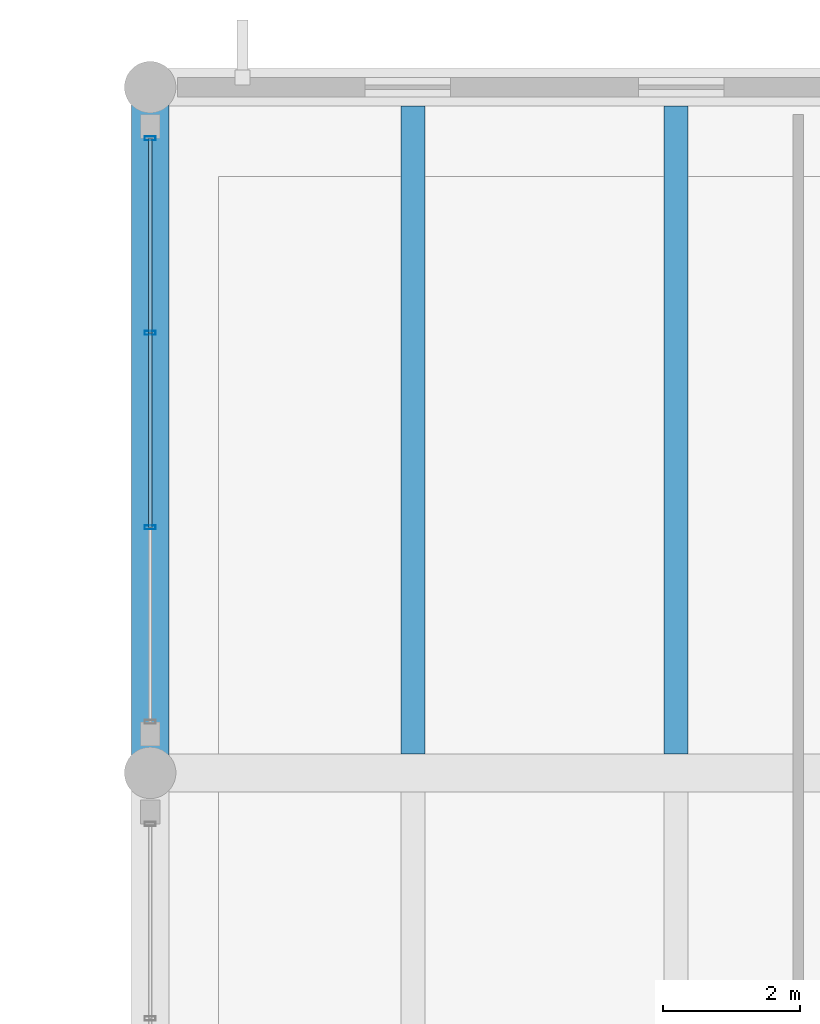
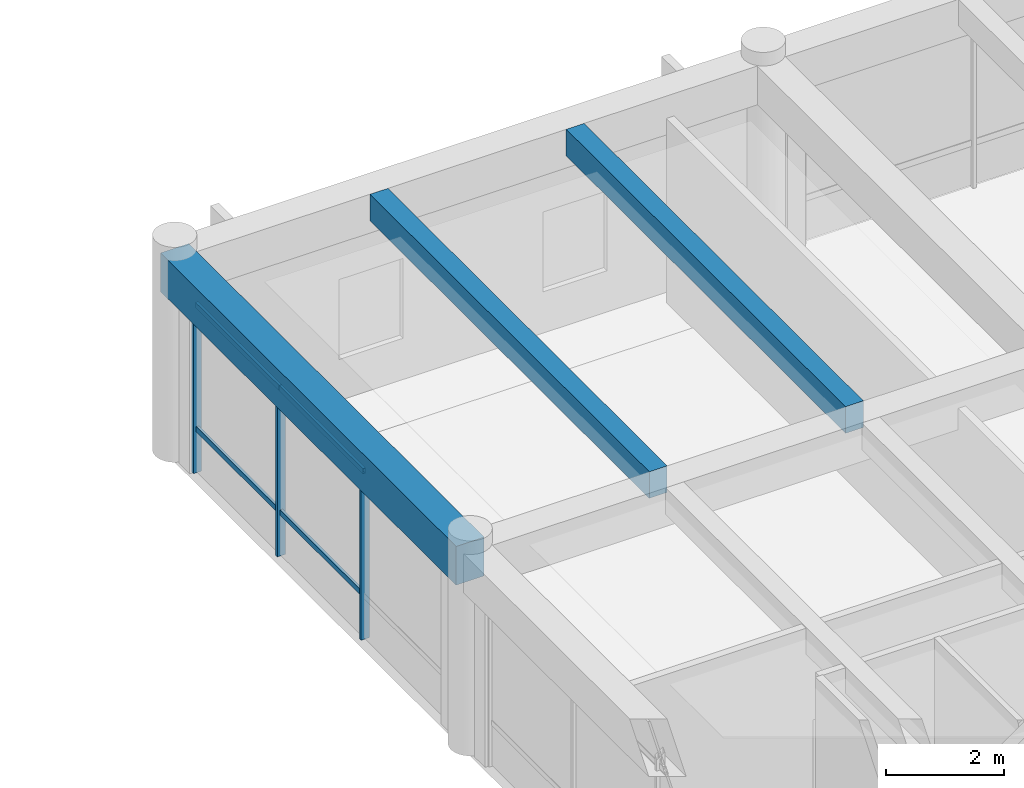
# One storey, part 8 of 27: 7 members, 3 beams, 1 element without a shape of its own.
"""IFC4 building model written with IfcOpenShell, lengths in metres."""

from ifc_helpers import new_model, si_unit, direction, frame, origin, origin_2d, place, context, subcontext, project, spatial, rectangle, hollow_rectangle, extrude, material, material_profile, profile_set, type_object, element, aggregate, save


model = new_model("IFC4")

# Units and contexts
model_context = context("Model", 3, precision=1e-05, world=origin(), true_north=direction((0.0, 1.0)))
body_context = subcontext(model_context, "Body", "Model", "MODEL_VIEW")
ifc_project = project(units=[si_unit("LENGTHUNIT", "METRE"), si_unit("AREAUNIT", "SQUARE_METRE"), si_unit("VOLUMEUNIT", "CUBIC_METRE"), si_unit("PLANEANGLEUNIT", "RADIAN"), si_unit("MASSUNIT", "GRAM", prefix="KILO")], contexts=[model_context])

# Site, building, storey
site_placement = place(None, origin())
site = spatial("IfcSite", under=ifc_project, at=site_placement, CompositionType="ELEMENT")
building_placement = place(site_placement, origin())
building = spatial("IfcBuilding", under=site, at=building_placement, Name="Ologun Quay Terminus", CompositionType="ELEMENT")
storey_placement = place(building_placement, frame((0.0, 0.0, 22.4599609375)))
storey = spatial("IfcBuildingStorey", under=building, at=storey_placement, Name="L05", CompositionType="ELEMENT", Elevation=22.4599609375)

# Curtain wall, members
ifc_material_1 = material(Name="Aluminium 6063-T6", Category="aluminium")
curtain_wall_type = type_object("IfcCurtainWallType", Name="Operations Wing Canteen Curtain Wall L05 10600x4050", PredefinedType="USERDEFINED", material=ifc_material_1)
curtain_wall_placement = place(storey_placement, origin())
curtain_wall = element("IfcCurtainWall", 1, at=curtain_wall_placement, inside=storey, type_object=curtain_wall_type, Name="CW-28 Curtain Wall CW-L05-158", ObjectType="UNITISED CURTAIN WALL", PredefinedType="USERDEFINED")
ifc_material_2 = material(Name="Aluminium 6063-T6", Category="aluminium")
ifc_material_profile_1 = material_profile(ifc_material_2, hollow_rectangle(XDim=0.06005859375, YDim=0.159912109375, WallThickness=0.00390625, at=origin_2d()), Name="ALU 160x60x4")
ifc_profile_set_1 = profile_set([ifc_material_profile_1], Name="Aluminium 6063-T6")
member_type_1 = type_object("IfcMemberType", Name="Courtyard Screen Mullion 160x65", PredefinedType="MULLION", material=ifc_profile_set_1)
member_1_placement = place(storey_placement, frame((115.0, 108.381591796875, 0.0), z_axis=(0.0, 0.0, 1.0), x_axis=(0.0, 1.0, 0.0)))
member_1 = element("IfcMember", 2, at=member_1_placement, type_object=member_type_1, Name="CW-L05-158 Mullion 2", PredefinedType="MULLION", context=body_context, shape_type="SweptSolid", body=[
    extrude(hollow_rectangle(XDim=0.06005859375, YDim=0.159912109375, WallThickness=0.00390625, at=origin_2d()), origin(), (0.0, 0.0, 1.0), 4.150146484375),
])
member_2_placement = place(storey_placement, frame((115.0, 111.21826171875, 0.0), z_axis=(0.0, 0.0, 1.0), x_axis=(0.0, 1.0, 0.0)))
member_2 = element("IfcMember", 3, at=member_2_placement, type_object=member_type_1, Name="CW-L05-158 Mullion 3", PredefinedType="MULLION", context=body_context, shape_type="SweptSolid", body=[
    extrude(hollow_rectangle(XDim=0.06005859375, YDim=0.159912109375, WallThickness=0.00390625, at=origin_2d()), origin(), (0.0, 0.0, 1.0), 4.150146484375),
])
member_3_placement = place(storey_placement, frame((115.0, 114.054931640625, 0.0), z_axis=(0.0, 0.0, 1.0), x_axis=(0.0, 1.0, 0.0)))
member_3 = element("IfcMember", 4, at=member_3_placement, type_object=member_type_1, Name="CW-L05-158 Mullion 4", PredefinedType="MULLION", context=body_context, shape_type="SweptSolid", body=[
    extrude(hollow_rectangle(XDim=0.06005859375, YDim=0.159912109375, WallThickness=0.00390625, at=origin_2d()), origin(), (0.0, 0.0, 1.0), 4.150146484375),
])
ifc_material_3 = material(Name="Aluminium 6063-T6", Category="aluminium")
ifc_material_profile_2 = material_profile(ifc_material_3, hollow_rectangle(XDim=0.054931640625, YDim=0.110107421875, WallThickness=0.00390625, at=origin_2d()), Name="ALU 110x55x4")
ifc_profile_set_2 = profile_set([ifc_material_profile_2], Name="Aluminium 6063-T6")
member_type_2 = type_object("IfcMemberType", Name="Courtyard Screen Transom 110x55", PredefinedType="USERDEFINED", material=ifc_profile_set_2)
member_4_placement = place(storey_placement, frame((115.0, 108.381591796875, 0.900146484375), z_axis=(0.0, 1.0, 0.0), x_axis=(-1.0, 0.0, 0.0)))
member_4 = element("IfcMember", 5, at=member_4_placement, type_object=member_type_2, Name="CW-L05-158 Transom B2-1", ObjectType="TRANSOM", PredefinedType="USERDEFINED", context=body_context, shape_type="SweptSolid", body=[
    extrude(hollow_rectangle(XDim=0.054931640625, YDim=0.110107421875, WallThickness=0.00390625, at=origin_2d()), origin(), (0.0, 0.0, 1.0), 2.836669921875),
])
member_5_placement = place(storey_placement, frame((115.0, 108.381591796875, 3.449951171875), z_axis=(0.0, 1.0, 0.0), x_axis=(-1.0, 0.0, 0.0)))
member_5 = element("IfcMember", 6, at=member_5_placement, type_object=member_type_2, Name="CW-L05-158 Transom B2-2", ObjectType="TRANSOM", PredefinedType="USERDEFINED", context=body_context, shape_type="SweptSolid", body=[
    extrude(hollow_rectangle(XDim=0.054931640625, YDim=0.110107421875, WallThickness=0.00390625, at=origin_2d()), origin(), (0.0, 0.0, 1.0), 2.836669921875),
])
member_6_placement = place(storey_placement, frame((115.0, 111.21826171875, 0.900146484375), z_axis=(0.0, 1.0, 0.0), x_axis=(-1.0, 0.0, 0.0)))
member_6 = element("IfcMember", 7, at=member_6_placement, type_object=member_type_2, Name="CW-L05-158 Transom B3-1", ObjectType="TRANSOM", PredefinedType="USERDEFINED", context=body_context, shape_type="SweptSolid", body=[
    extrude(hollow_rectangle(XDim=0.054931640625, YDim=0.110107421875, WallThickness=0.00390625, at=origin_2d()), origin(), (0.0, 0.0, 1.0), 2.836669921875),
])
member_7_placement = place(storey_placement, frame((115.0, 111.21826171875, 3.449951171875), z_axis=(0.0, 1.0, 0.0), x_axis=(-1.0, 0.0, 0.0)))
member_7 = element("IfcMember", 8, at=member_7_placement, type_object=member_type_2, Name="CW-L05-158 Transom B3-2", ObjectType="TRANSOM", PredefinedType="USERDEFINED", context=body_context, shape_type="SweptSolid", body=[
    extrude(hollow_rectangle(XDim=0.054931640625, YDim=0.110107421875, WallThickness=0.00390625, at=origin_2d()), origin(), (0.0, 0.0, 1.0), 2.836669921875),
])
aggregate(curtain_wall, [member_1, member_2, member_3, member_4, member_5, member_6, member_7])

# Beams
ifc_material_4 = material(Name="Concrete C40/50", Category="concrete")
ifc_material_profile_3 = material_profile(ifc_material_4, rectangle(XDim=0.550048828125, YDim=0.800048828125, at=origin_2d()), Name="RC 550x800")
ifc_profile_set_3 = profile_set([ifc_material_profile_3], Name="Concrete C40/50")
beam_type_1 = type_object("IfcBeamType", Name="Courtyard Wing Primary Girder 550x800", PredefinedType="BEAM", material=ifc_profile_set_3)
beam_placement = place(storey_placement, frame((115.0, 104.800048828125, 3.760009765625), z_axis=(0.0, 1.0, 0.0), x_axis=(-1.0, 0.0, 0.0)))
element("IfcBeam", 9, at=beam_placement, inside=storey, type_object=beam_type_1, Name="B4 Beam 11/J L05", PredefinedType="BEAM", context=body_context, shape_type="SweptSolid", body=[
    extrude(rectangle(XDim=0.550048828125, YDim=0.800048828125, at=origin_2d()), origin(), (0.0, 0.0, 1.0), 10.0),
])
ifc_material_5 = material(Name="Concrete C40/50", Category="concrete")
ifc_material_profile_4 = material_profile(ifc_material_5, rectangle(XDim=0.35009765625, YDim=0.550048828125, at=origin_2d()), Name="RC 350x550")
ifc_profile_set_4 = profile_set([ifc_material_profile_4], Name="Concrete C40/50")
beam_type_2 = type_object("IfcBeamType", Name="Courtyard Wing Secondary Joist 350x550", PredefinedType="JOIST", material=ifc_profile_set_4)
for number, where, z_axis, x_axis, name in (
    (10, (118.833251953125, 105.074951171875, 3.885009765625), (0.0, 1.0, 0.0), (-1.0, 0.0, 0.0), "J2 Beam 11/J L05"),
    (11, (122.666748046875, 105.074951171875, 3.885009765625), (0.0, 1.0, 0.0), (-1.0, 0.0, 0.0), "J2 Beam 11/J L05"),
):
    element("IfcBeam", number, at=place(storey_placement, frame(where, z_axis=z_axis, x_axis=x_axis)), inside=storey, type_object=beam_type_2, Name=name, PredefinedType="JOIST", context=body_context, shape_type="SweptSolid", body=[
        extrude(rectangle(XDim=0.35009765625, YDim=0.550048828125, at=origin_2d()), origin(), (0.0, 0.0, 1.0), 9.449951171875),
    ])

save(model, "model.ifc")
